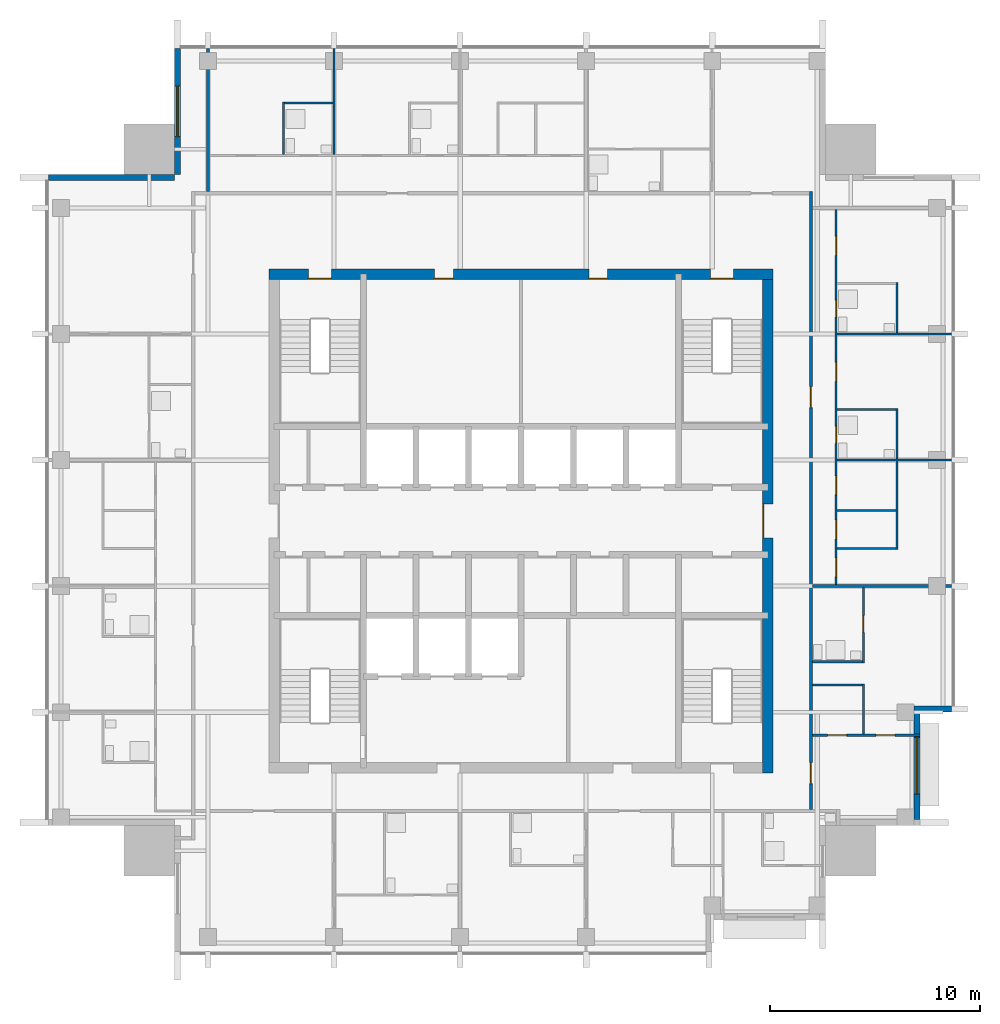
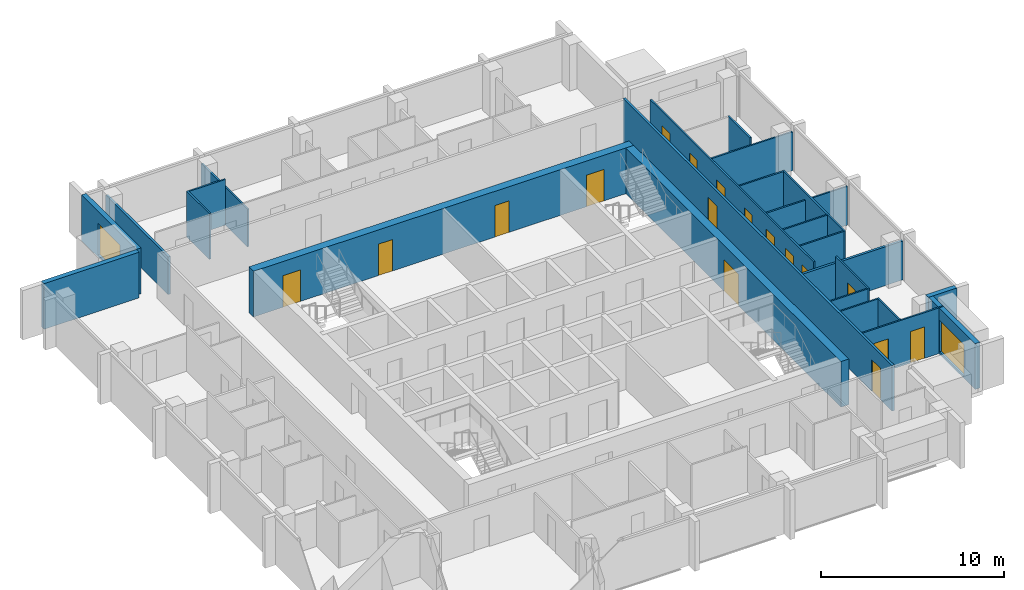
# One storey, part 6 of 10: 25 walls, 17 doors, 2 windows, 19 openings.
"""IFC4 building model written with IfcOpenShell, lengths in metres."""

from ifc_helpers import new_model, si_unit, direction, frame, frame_2d, origin, place, context, subcontext, project, spatial, rectangle, extrude, material, layer, layer_set, type_object, element, fill, save


model = new_model("IFC4")

# Units and contexts
model_context = context("Model", 3, precision=1e-05, world=origin(), true_north=direction((0.0, 1.0)))
body_context = subcontext(model_context, "Body", "Model", "MODEL_VIEW")
ifc_project = project(units=[si_unit("LENGTHUNIT", "METRE"), si_unit("AREAUNIT", "SQUARE_METRE"), si_unit("VOLUMEUNIT", "CUBIC_METRE"), si_unit("PLANEANGLEUNIT", "RADIAN"), si_unit("MASSUNIT", "GRAM", prefix="KILO")], contexts=[model_context])

# Site, building, storey
site_placement = place(None, origin())
site = spatial("IfcSite", under=ifc_project, at=site_placement, CompositionType="ELEMENT")
building_placement = place(site_placement, origin())
building = spatial("IfcBuilding", under=site, at=building_placement, Name="Amberfall Residences", CompositionType="ELEMENT")
storey_placement = place(building_placement, frame((0.0, 0.0, 275.199951171875)))
storey = spatial("IfcBuildingStorey", under=building, at=storey_placement, Name="L74", CompositionType="ELEMENT", Elevation=275.199951171875)

# Wall
ifc_material_1 = material(Name="Pale stone cladding on insulated backing", Category="masonry")
ifc_layer_1 = layer(ifc_material_1, 0.300048828125)
ifc_layer_set_1 = layer_set([ifc_layer_1], Name="Bronze clad wall 300")
wall_type_1 = type_object("IfcWallType", Name="Bronze clad wall 300", PredefinedType="SOLIDWALL", material=ifc_layer_set_1)
wall_1_placement = place(storey_placement, frame((93.199951171875, 36.550048828125, 0.0), z_axis=(0.0, 0.0, 1.0), x_axis=(1.0, 0.0, 0.0)))
element("IfcWall", 1, at=wall_1_placement, inside=storey, type_object=wall_type_1, Name="External wall L74 E", PredefinedType="SOLIDWALL", context=body_context, shape_type="SweptSolid", body=[
    extrude(rectangle(XDim=1.800048828125, YDim=0.300048828125, at=frame_2d((0.89990234375, 0.0))), origin(), (0.0, 0.0, 1.0), 3.050048828125),
])

# Wall, opening, window
wall_2_placement = place(storey_placement, frame((58.14990234375, 68.0, 0.0), z_axis=(0.0, 0.0, 1.0), x_axis=(0.0, -1.0, 0.0)))
wall_2 = element("IfcWall", 2, at=wall_2_placement, inside=storey, type_object=wall_type_1, Name="External wall L74 NW", PredefinedType="SOLIDWALL", context=body_context, shape_type="SweptSolid", body=[
    extrude(rectangle(XDim=6.0, YDim=0.300048828125, at=frame_2d((3.0, 0.0))), origin(), (0.0, 0.0, 1.0), 3.050048828125),
])
opening_1_placement = place(wall_2_placement, frame((1.800048828125, 0.0, 0.14990234375)))
opening_1 = element("IfcOpeningElement", 3, at=opening_1_placement, cuts=wall_2, Name="Opening WN5", PredefinedType="OPENING", context=body_context, shape_type="SweptSolid", body=[
    extrude(rectangle(XDim=2.39990234375, YDim=2.10009765625, at=frame_2d((1.199951171875, 1.050048828125))), frame((0.0, 0.159912109375, 0.0), z_axis=(0.0, -1.0, 0.0), x_axis=(1.0, 0.0, 0.0)), (0.0, 0.0, 1.0), 0.320068359375),
])
ifc_material_2 = material(Name="Bronze aluminium framed glazing", Category="aluminium")
window_type_1 = type_object("IfcWindowType", Name="Glazed opening 2400 x 2100 bronze", PartitioningType="DOUBLE_PANEL_VERTICAL", PredefinedType="WINDOW", material=ifc_material_2)
window_1_placement = place(opening_1_placement, origin())
window_1 = element("IfcWindow", 4, at=window_1_placement, inside=storey, type_object=window_type_1, Name="Window L74 NW", OverallHeight=2.10009765625, OverallWidth=2.39990234375, PartitioningType="DOUBLE_PANEL_VERTICAL", PredefinedType="WINDOW", context=body_context, shape_type="SweptSolid", body=[
    extrude(rectangle(XDim=2.39990234375, YDim=2.10009765625, at=frame_2d((1.199951171875, 1.050048828125))), frame((0.0, 0.030029296875, 0.0), z_axis=(0.0, -1.0, 0.0), x_axis=(1.0, 0.0, 0.0)), (0.0, 0.0, 1.0), 0.06005859375),
])
fill(opening_1, window_1)

# Wall
wall_3_placement = place(storey_placement, frame((58.0, 61.85009765625, 0.0), z_axis=(0.0, 0.0, 1.0), x_axis=(-1.0, 0.0, 0.0)))
element("IfcWall", 5, at=wall_3_placement, inside=storey, type_object=wall_type_1, Name="External wall L74 NW", PredefinedType="SOLIDWALL", context=body_context, shape_type="SweptSolid", body=[
    extrude(rectangle(XDim=6.0, YDim=0.300048828125, at=frame_2d((3.0, 0.0))), origin(), (0.0, 0.0, 1.0), 3.050048828125),
])

# Wall, opening, window
wall_4_placement = place(storey_placement, frame((93.35009765625, 31.300048828125, 0.0), z_axis=(0.0, 0.0, 1.0), x_axis=(0.0, 1.0, 0.0)))
wall_4 = element("IfcWall", 6, at=wall_4_placement, inside=storey, type_object=wall_type_1, Name="Stone wall L74 E", PredefinedType="SOLIDWALL", context=body_context, shape_type="SweptSolid", body=[
    extrude(rectangle(XDim=5.099853515625, YDim=0.300048828125, at=frame_2d((2.5498046875, 0.0))), origin(), (0.0, 0.0, 1.0), 3.050048828125),
])
opening_2_placement = place(wall_4_placement, frame((1.199951171875, 0.0, 0.14990234375)))
opening_2 = element("IfcOpeningElement", 7, at=opening_2_placement, cuts=wall_4, Name="Opening WN4", PredefinedType="OPENING", context=body_context, shape_type="SweptSolid", body=[
    extrude(rectangle(XDim=2.699951171875, YDim=2.10009765625, at=frame_2d((1.35009765625, 1.050048828125))), frame((0.0, 0.159912109375, 0.0), z_axis=(0.0, -1.0, 0.0), x_axis=(1.0, 0.0, 0.0)), (0.0, 0.0, 1.0), 0.320068359375),
])
window_type_2 = type_object("IfcWindowType", Name="Glazed opening 2700 x 2100 bronze", PartitioningType="DOUBLE_PANEL_VERTICAL", PredefinedType="WINDOW", material=ifc_material_2)
window_2_placement = place(opening_2_placement, origin())
window_2 = element("IfcWindow", 8, at=window_2_placement, inside=storey, type_object=window_type_2, Name="Window L74 E", OverallHeight=2.10009765625, OverallWidth=2.699951171875, PartitioningType="DOUBLE_PANEL_VERTICAL", PredefinedType="WINDOW", context=body_context, shape_type="SweptSolid", body=[
    extrude(rectangle(XDim=2.699951171875, YDim=2.10009765625, at=frame_2d((1.35009765625, 1.050048828125))), frame((0.0, 0.030029296875, 0.0), z_axis=(0.0, -1.0, 0.0), x_axis=(1.0, 0.0, 0.0)), (0.0, 0.0, 1.0), 0.06005859375),
])
fill(opening_2, window_2)

# Wall, openings, doors
ifc_material_3 = material(Name="Concrete C50", Category="concrete")
ifc_layer_2 = layer(ifc_material_3, 0.5)
ifc_layer_set_2 = layer_set([ifc_layer_2], Name="Core wall 500 C50")
wall_type_2 = type_object("IfcWallType", Name="Core wall 500 C50", PredefinedType="SHEAR", material=ifc_layer_set_2)
wall_5_placement = place(storey_placement, frame((62.5, 57.25, 0.0), z_axis=(0.0, 0.0, 1.0), x_axis=(1.0, 0.0, 0.0)))
wall_5 = element("IfcWall", 9, at=wall_5_placement, inside=storey, type_object=wall_type_2, Name="Core wall RW9 L74 ON", PredefinedType="SHEAR", context=body_context, shape_type="SweptSolid", body=[
    extrude(rectangle(XDim=24.0, YDim=0.5, at=frame_2d((12.0, 0.0))), origin(), (0.0, 0.0, 1.0), 3.050048828125),
])
opening_3_placement = place(wall_5_placement, frame((21.02490234375, 0.0, 0.0)))
opening_3 = element("IfcOpeningElement", 10, at=opening_3_placement, cuts=wall_5, Name="Opening SD1", PredefinedType="OPENING", context=body_context, shape_type="SweptSolid", body=[
    extrude(rectangle(XDim=1.10009765625, YDim=2.10009765625, at=frame_2d((0.550048828125, 1.050048828125))), frame((0.0, 0.260009765625, 0.0), z_axis=(0.0, -1.0, 0.0), x_axis=(1.0, 0.0, 0.0)), (0.0, 0.0, 1.0), 0.52001953125),
])
opening_4_placement = place(wall_5_placement, frame((1.875, 0.0, 0.0)))
opening_4 = element("IfcOpeningElement", 11, at=opening_4_placement, cuts=wall_5, Name="Opening SD1", PredefinedType="OPENING", context=body_context, shape_type="SweptSolid", body=[
    extrude(rectangle(XDim=1.10009765625, YDim=2.10009765625, at=frame_2d((0.550048828125, 1.050048828125))), frame((0.0, 0.260009765625, 0.0), z_axis=(0.0, -1.0, 0.0), x_axis=(1.0, 0.0, 0.0)), (0.0, 0.0, 1.0), 0.52001953125),
])
opening_5_placement = place(wall_5_placement, frame((7.875, 0.0, 0.0)))
opening_5 = element("IfcOpeningElement", 12, at=opening_5_placement, cuts=wall_5, Name="Opening RD1", PredefinedType="OPENING", context=body_context, shape_type="SweptSolid", body=[
    extrude(rectangle(XDim=0.89990234375, YDim=2.10009765625, at=frame_2d((0.449951171875, 1.050048828125))), frame((0.0, 0.260009765625, 0.0), z_axis=(0.0, -1.0, 0.0), x_axis=(1.0, 0.0, 0.0)), (0.0, 0.0, 1.0), 0.52001953125),
])
opening_6_placement = place(wall_5_placement, frame((15.22509765625, 0.0, 0.0)))
opening_6 = element("IfcOpeningElement", 13, at=opening_6_placement, cuts=wall_5, Name="Opening RD1", PredefinedType="OPENING", context=body_context, shape_type="SweptSolid", body=[
    extrude(rectangle(XDim=0.89990234375, YDim=2.10009765625, at=frame_2d((0.449951171875, 1.050048828125))), frame((0.0, 0.260009765625, 0.0), z_axis=(0.0, -1.0, 0.0), x_axis=(1.0, 0.0, 0.0)), (0.0, 0.0, 1.0), 0.52001953125),
])
ifc_material_4 = material(Name="Steel fire door set", Category="steel")
door_type_1 = type_object("IfcDoorType", Name="Service room door 900 x 2100", OperationType="SINGLE_SWING_LEFT", PredefinedType="DOOR", material=ifc_material_4)
door_1_placement = place(opening_5_placement, origin())
door_1 = element("IfcDoor", 14, at=door_1_placement, inside=storey, type_object=door_type_1, Name="RD1 L74", OperationType="SINGLE_SWING_RIGHT", OverallHeight=2.10009765625, OverallWidth=0.89990234375, PredefinedType="DOOR", context=body_context, shape_type="SweptSolid", body=[
    extrude(rectangle(XDim=0.89990234375, YDim=2.10009765625, at=frame_2d((0.449951171875, 1.050048828125))), frame((0.0, -0.1875, 0.0), z_axis=(0.0, -1.0, 0.0), x_axis=(1.0, 0.0, 0.0)), (0.0, 0.0, 1.0), 0.050048828125),
])
fill(opening_5, door_1)
door_2_placement = place(opening_6_placement, origin())
door_2 = element("IfcDoor", 15, at=door_2_placement, inside=storey, type_object=door_type_1, Name="RD1 L74", OperationType="SINGLE_SWING_RIGHT", OverallHeight=2.10009765625, OverallWidth=0.89990234375, PredefinedType="DOOR", context=body_context, shape_type="SweptSolid", body=[
    extrude(rectangle(XDim=0.89990234375, YDim=2.10009765625, at=frame_2d((0.449951171875, 1.050048828125))), frame((0.0, -0.1875, 0.0), z_axis=(0.0, -1.0, 0.0), x_axis=(1.0, 0.0, 0.0)), (0.0, 0.0, 1.0), 0.050048828125),
])
fill(opening_6, door_2)
door_type_2 = type_object("IfcDoorType", Name="Stair door 1100 x 2100", OperationType="SINGLE_SWING_LEFT", PredefinedType="DOOR", material=ifc_material_4)
door_3_placement = place(opening_3_placement, origin())
door_3 = element("IfcDoor", 16, at=door_3_placement, inside=storey, type_object=door_type_2, Name="SD1 L74", OperationType="SINGLE_SWING_RIGHT", OverallHeight=2.10009765625, OverallWidth=1.10009765625, PredefinedType="DOOR", context=body_context, shape_type="SweptSolid", body=[
    extrude(rectangle(XDim=1.10009765625, YDim=2.10009765625, at=frame_2d((0.550048828125, 1.050048828125))), frame((0.0, -0.1875, 0.0), z_axis=(0.0, -1.0, 0.0), x_axis=(1.0, 0.0, 0.0)), (0.0, 0.0, 1.0), 0.050048828125),
])
fill(opening_3, door_3)
door_4_placement = place(opening_4_placement, origin())
door_4 = element("IfcDoor", 17, at=door_4_placement, inside=storey, type_object=door_type_2, Name="SD1 L74", OperationType="SINGLE_SWING_LEFT", OverallHeight=2.10009765625, OverallWidth=1.10009765625, PredefinedType="DOOR", context=body_context, shape_type="SweptSolid", body=[
    extrude(rectangle(XDim=1.10009765625, YDim=2.10009765625, at=frame_2d((0.550048828125, 1.050048828125))), frame((0.0, -0.1875, 0.0), z_axis=(0.0, -1.0, 0.0), x_axis=(1.0, 0.0, 0.0)), (0.0, 0.0, 1.0), 0.050048828125),
])
fill(opening_4, door_4)

# Wall, opening, door
wall_6_placement = place(storey_placement, frame((86.25, 33.5, 0.0), z_axis=(0.0, 0.0, 1.0), x_axis=(0.0, 1.0, 0.0)))
wall_6 = element("IfcWall", 18, at=wall_6_placement, inside=storey, type_object=wall_type_2, Name="Core wall RW9 L74 OE", PredefinedType="SHEAR", context=body_context, shape_type="SweptSolid", body=[
    extrude(rectangle(XDim=24.0, YDim=0.5, at=frame_2d((12.0, 0.0))), origin(), (0.0, 0.0, 1.0), 3.050048828125),
])
opening_7_placement = place(wall_6_placement, frame((11.199951171875, 0.0, 0.0)))
opening_7 = element("IfcOpeningElement", 19, at=opening_7_placement, cuts=wall_6, Name="Opening LB1", PredefinedType="OPENING", context=body_context, shape_type="SweptSolid", body=[
    extrude(rectangle(XDim=1.60009765625, YDim=2.10009765625, at=frame_2d((0.800048828125, 1.050048828125))), frame((0.0, 0.260009765625, 0.0), z_axis=(0.0, -1.0, 0.0), x_axis=(1.0, 0.0, 0.0)), (0.0, 0.0, 1.0), 0.52001953125),
])
door_type_3 = type_object("IfcDoorType", Name="Lift lobby double door 1600 x 2100", OperationType="DOUBLE_DOOR_SINGLE_SWING", PredefinedType="DOOR", material=ifc_material_4)
door_5_placement = place(opening_7_placement, origin())
door_5 = element("IfcDoor", 20, at=door_5_placement, inside=storey, type_object=door_type_3, Name="LB1 L74", OperationType="DOUBLE_DOOR_SINGLE_SWING", OverallHeight=2.10009765625, OverallWidth=1.60009765625, PredefinedType="DOOR", context=body_context, shape_type="SweptSolid", body=[
    extrude(rectangle(XDim=1.60009765625, YDim=2.10009765625, at=frame_2d((0.800048828125, 1.050048828125))), frame((0.0, 0.2373046875, 0.0), z_axis=(0.0, -1.0, 0.0), x_axis=(1.0, 0.0, 0.0)), (0.0, 0.0, 1.0), 0.050048828125),
])
fill(opening_7, door_5)

# Walls
ifc_material_5 = material(Name="Gypsum board on metal stud")
ifc_layer_3 = layer(ifc_material_5, 0.10009765625)
ifc_layer_set_3 = layer_set([ifc_layer_3], Name="Flat partition 100")
wall_type_3 = type_object("IfcWallType", Name="Flat partition 100", PredefinedType="PARTITIONING", material=ifc_layer_set_3)
wall_7_placement = place(storey_placement, frame((63.199951171875, 62.949951171875, 0.0), z_axis=(0.0, 0.0, 1.0), x_axis=(0.0, 1.0, 0.0)))
element("IfcWall", 21, at=wall_7_placement, inside=storey, type_object=wall_type_3, Name="Partition 006", PredefinedType="PARTITIONING", context=body_context, shape_type="SweptSolid", body=[
    extrude(rectangle(XDim=2.5, YDim=0.10009765625, at=frame_2d((1.25, 0.0))), origin(), (0.0, 0.0, 1.0), 3.050048828125),
])
wall_8_placement = place(storey_placement, frame((65.60009765625, 62.949951171875, 0.0), z_axis=(0.0, 0.0, 1.0), x_axis=(0.0, 1.0, 0.0)))
element("IfcWall", 22, at=wall_8_placement, inside=storey, type_object=wall_type_3, Name="Partition 008", PredefinedType="PARTITIONING", context=body_context, shape_type="SweptSolid", body=[
    extrude(rectangle(XDim=5.050048828125, YDim=0.10009765625, at=frame_2d((2.52490234375, 0.0))), origin(), (0.0, 0.0, 1.0), 2.51611328125),
])

# Wall, openings, doors
wall_9_placement = place(storey_placement, frame((89.5, 60.324951171875, 0.0), z_axis=(0.0, 0.0, 1.0), x_axis=(0.0, -1.0, 0.0)))
wall_9 = element("IfcWall", 23, at=wall_9_placement, inside=storey, type_object=wall_type_3, Name="Partition 021", PredefinedType="PARTITIONING", context=body_context, shape_type="SweptSolid", body=[
    extrude(rectangle(XDim=17.849853515625, YDim=0.10009765625, at=frame_2d((8.9248046875, 0.0))), origin(), (0.0, 0.0, 1.0), 3.050048828125),
])
opening_8_placement = place(wall_9_placement, frame((16.574951171875, 0.0, 0.0)))
opening_8 = element("IfcOpeningElement", 24, at=opening_8_placement, cuts=wall_9, Name="Opening D41", PredefinedType="OPENING", context=body_context, shape_type="SweptSolid", body=[
    extrude(rectangle(XDim=0.89990234375, YDim=2.10009765625, at=frame_2d((0.449951171875, 1.050048828125))), frame((0.0, 0.06005859375, 0.0), z_axis=(0.0, -1.0, 0.0), x_axis=(1.0, 0.0, 0.0)), (0.0, 0.0, 1.0), 0.1201171875),
])
opening_9_placement = place(wall_9_placement, frame((12.675048828125, 0.0, 0.0)))
opening_9 = element("IfcOpeningElement", 25, at=opening_9_placement, cuts=wall_9, Name="Opening D41", PredefinedType="OPENING", context=body_context, shape_type="SweptSolid", body=[
    extrude(rectangle(XDim=0.89990234375, YDim=2.10009765625, at=frame_2d((0.449951171875, 1.050048828125))), frame((0.0, 0.06005859375, 0.0), z_axis=(0.0, -1.0, 0.0), x_axis=(1.0, 0.0, 0.0)), (0.0, 0.0, 1.0), 0.1201171875),
])
opening_10_placement = place(wall_9_placement, frame((14.77490234375, 0.0, 0.0)))
opening_10 = element("IfcOpeningElement", 26, at=opening_10_placement, cuts=wall_9, Name="Opening D41", PredefinedType="OPENING", context=body_context, shape_type="SweptSolid", body=[
    extrude(rectangle(XDim=0.89990234375, YDim=2.10009765625, at=frame_2d((0.449951171875, 1.050048828125))), frame((0.0, 0.06005859375, 0.0), z_axis=(0.0, -1.0, 0.0), x_axis=(1.0, 0.0, 0.0)), (0.0, 0.0, 1.0), 0.1201171875),
])
opening_11_placement = place(wall_9_placement, frame((7.27490234375, 0.0, 0.0)))
opening_11 = element("IfcOpeningElement", 27, at=opening_11_placement, cuts=wall_9, Name="Opening D41", PredefinedType="OPENING", context=body_context, shape_type="SweptSolid", body=[
    extrude(rectangle(XDim=0.89990234375, YDim=2.10009765625, at=frame_2d((0.449951171875, 1.050048828125))), frame((0.0, 0.06005859375, 0.0), z_axis=(0.0, -1.0, 0.0), x_axis=(1.0, 0.0, 0.0)), (0.0, 0.0, 1.0), 0.1201171875),
])
opening_12_placement = place(wall_9_placement, frame((1.27490234375, 0.0, 0.0)))
opening_12 = element("IfcOpeningElement", 28, at=opening_12_placement, cuts=wall_9, Name="Opening D41", PredefinedType="OPENING", context=body_context, shape_type="SweptSolid", body=[
    extrude(rectangle(XDim=0.89990234375, YDim=2.10009765625, at=frame_2d((0.449951171875, 1.050048828125))), frame((0.0, 0.06005859375, 0.0), z_axis=(0.0, -1.0, 0.0), x_axis=(1.0, 0.0, 0.0)), (0.0, 0.0, 1.0), 0.1201171875),
])
opening_13_placement = place(wall_9_placement, frame((10.324951171875, 0.0, 0.0)))
opening_13 = element("IfcOpeningElement", 29, at=opening_13_placement, cuts=wall_9, Name="Opening D42", PredefinedType="OPENING", context=body_context, shape_type="SweptSolid", body=[
    extrude(rectangle(XDim=0.800048828125, YDim=2.10009765625, at=frame_2d((0.39990234375, 1.050048828125))), frame((0.0, 0.06005859375, 0.0), z_axis=(0.0, -1.0, 0.0), x_axis=(1.0, 0.0, 0.0)), (0.0, 0.0, 1.0), 0.1201171875),
])
opening_14_placement = place(wall_9_placement, frame((4.324951171875, 0.0, 0.0)))
opening_14 = element("IfcOpeningElement", 30, at=opening_14_placement, cuts=wall_9, Name="Opening D42", PredefinedType="OPENING", context=body_context, shape_type="SweptSolid", body=[
    extrude(rectangle(XDim=0.800048828125, YDim=2.10009765625, at=frame_2d((0.39990234375, 1.050048828125))), frame((0.0, 0.06005859375, 0.0), z_axis=(0.0, -1.0, 0.0), x_axis=(1.0, 0.0, 0.0)), (0.0, 0.0, 1.0), 0.1201171875),
])
ifc_material_6 = material(Name="Timber", Category="wood")
door_type_4 = type_object("IfcDoorType", Name="Bathroom door 800 x 2100", OperationType="SINGLE_SWING_LEFT", PredefinedType="DOOR", material=ifc_material_6)
door_6_placement = place(opening_13_placement, origin())
door_6 = element("IfcDoor", 31, at=door_6_placement, inside=storey, type_object=door_type_4, Name="Door 7404 bath1", OperationType="SINGLE_SWING_LEFT", OverallHeight=2.10009765625, OverallWidth=0.800048828125, PredefinedType="DOOR", context=body_context, shape_type="SweptSolid", body=[
    extrude(rectangle(XDim=0.800048828125, YDim=2.10009765625, at=frame_2d((0.39990234375, 1.050048828125))), frame((0.0, 0.02490234375, 0.0), z_axis=(0.0, -1.0, 0.0), x_axis=(1.0, 0.0, 0.0)), (0.0, 0.0, 1.0), 0.050048828125),
])
fill(opening_13, door_6)
door_7_placement = place(opening_14_placement, origin())
door_7 = element("IfcDoor", 32, at=door_7_placement, inside=storey, type_object=door_type_4, Name="Door 7404 bath2", OperationType="SINGLE_SWING_LEFT", OverallHeight=2.10009765625, OverallWidth=0.800048828125, PredefinedType="DOOR", context=body_context, shape_type="SweptSolid", body=[
    extrude(rectangle(XDim=0.800048828125, YDim=2.10009765625, at=frame_2d((0.39990234375, 1.050048828125))), frame((0.0, 0.02490234375, 0.0), z_axis=(0.0, -1.0, 0.0), x_axis=(1.0, 0.0, 0.0)), (0.0, 0.0, 1.0), 0.050048828125),
])
fill(opening_14, door_7)
door_type_5 = type_object("IfcDoorType", Name="Internal door 900 x 2100", OperationType="SINGLE_SWING_LEFT", PredefinedType="DOOR", material=ifc_material_6)
door_8_placement = place(opening_8_placement, origin())
door_8 = element("IfcDoor", 33, at=door_8_placement, inside=storey, type_object=door_type_5, Name="Door 7404 living", OperationType="SINGLE_SWING_LEFT", OverallHeight=2.10009765625, OverallWidth=0.89990234375, PredefinedType="DOOR", context=body_context, shape_type="SweptSolid", body=[
    extrude(rectangle(XDim=0.89990234375, YDim=2.10009765625, at=frame_2d((0.449951171875, 1.050048828125))), frame((0.0, 0.02490234375, 0.0), z_axis=(0.0, -1.0, 0.0), x_axis=(1.0, 0.0, 0.0)), (0.0, 0.0, 1.0), 0.050048828125),
])
fill(opening_8, door_8)
door_9_placement = place(opening_9_placement, origin())
door_9 = element("IfcDoor", 34, at=door_9_placement, inside=storey, type_object=door_type_5, Name="Door 7404 kitchen", OperationType="SINGLE_SWING_LEFT", OverallHeight=2.10009765625, OverallWidth=0.89990234375, PredefinedType="DOOR", context=body_context, shape_type="SweptSolid", body=[
    extrude(rectangle(XDim=0.89990234375, YDim=2.10009765625, at=frame_2d((0.449951171875, 1.050048828125))), frame((0.0, 0.02490234375, 0.0), z_axis=(0.0, -1.0, 0.0), x_axis=(1.0, 0.0, 0.0)), (0.0, 0.0, 1.0), 0.050048828125),
])
fill(opening_9, door_9)
door_10_placement = place(opening_10_placement, origin())
door_10 = element("IfcDoor", 35, at=door_10_placement, inside=storey, type_object=door_type_5, Name="Door 7404 utility", OperationType="SINGLE_SWING_LEFT", OverallHeight=2.10009765625, OverallWidth=0.89990234375, PredefinedType="DOOR", context=body_context, shape_type="SweptSolid", body=[
    extrude(rectangle(XDim=0.89990234375, YDim=2.10009765625, at=frame_2d((0.449951171875, 1.050048828125))), frame((0.0, 0.02490234375, 0.0), z_axis=(0.0, -1.0, 0.0), x_axis=(1.0, 0.0, 0.0)), (0.0, 0.0, 1.0), 0.050048828125),
])
fill(opening_10, door_10)
door_11_placement = place(opening_11_placement, origin())
door_11 = element("IfcDoor", 36, at=door_11_placement, inside=storey, type_object=door_type_5, Name="Door 7404 bedroom1", OperationType="SINGLE_SWING_LEFT", OverallHeight=2.10009765625, OverallWidth=0.89990234375, PredefinedType="DOOR", context=body_context, shape_type="SweptSolid", body=[
    extrude(rectangle(XDim=0.89990234375, YDim=2.10009765625, at=frame_2d((0.449951171875, 1.050048828125))), frame((0.0, 0.02490234375, 0.0), z_axis=(0.0, -1.0, 0.0), x_axis=(1.0, 0.0, 0.0)), (0.0, 0.0, 1.0), 0.050048828125),
])
fill(opening_11, door_11)
door_12_placement = place(opening_12_placement, origin())
door_12 = element("IfcDoor", 37, at=door_12_placement, inside=storey, type_object=door_type_5, Name="Door 7404 bedroom2", OperationType="SINGLE_SWING_LEFT", OverallHeight=2.10009765625, OverallWidth=0.89990234375, PredefinedType="DOOR", context=body_context, shape_type="SweptSolid", body=[
    extrude(rectangle(XDim=0.89990234375, YDim=2.10009765625, at=frame_2d((0.449951171875, 1.050048828125))), frame((0.0, 0.02490234375, 0.0), z_axis=(0.0, -1.0, 0.0), x_axis=(1.0, 0.0, 0.0)), (0.0, 0.0, 1.0), 0.050048828125),
])
fill(opening_12, door_12)

# Wall
wall_10_placement = place(storey_placement, frame((90.800048828125, 35.35009765625, 0.0), z_axis=(0.0, 0.0, 1.0), x_axis=(0.0, 1.0, 0.0)))
element("IfcWall", 38, at=wall_10_placement, inside=storey, type_object=wall_type_3, Name="Partition 022", PredefinedType="PARTITIONING", context=body_context, shape_type="SweptSolid", body=[
    extrude(rectangle(XDim=2.39990234375, YDim=0.10009765625, at=frame_2d((1.199951171875, 0.0))), origin(), (0.0, 0.0, 1.0), 3.050048828125),
])

# Wall, opening, door
wall_11_placement = place(storey_placement, frame((90.800048828125, 38.75, 0.0), z_axis=(0.0, 0.0, 1.0), x_axis=(0.0, 1.0, 0.0)))
wall_11 = element("IfcWall", 39, at=wall_11_placement, inside=storey, type_object=wall_type_3, Name="Partition 023", PredefinedType="PARTITIONING", context=body_context, shape_type="SweptSolid", body=[
    extrude(rectangle(XDim=3.574951171875, YDim=0.10009765625, at=frame_2d((1.78759765625, 0.0))), origin(), (0.0, 0.0, 1.0), 3.050048828125),
])
opening_15_placement = place(wall_11_placement, frame((1.449951171875, 0.0, 0.0)))
opening_15 = element("IfcOpeningElement", 40, at=opening_15_placement, cuts=wall_11, Name="Opening D42", PredefinedType="OPENING", context=body_context, shape_type="SweptSolid", body=[
    extrude(rectangle(XDim=0.800048828125, YDim=2.10009765625, at=frame_2d((0.39990234375, 1.050048828125))), frame((0.0, 0.06005859375, 0.0), z_axis=(0.0, -1.0, 0.0), x_axis=(1.0, 0.0, 0.0)), (0.0, 0.0, 1.0), 0.1201171875),
])
door_13_placement = place(opening_15_placement, origin())
door_13 = element("IfcDoor", 41, at=door_13_placement, inside=storey, type_object=door_type_4, Name="Door 7403 bath1", OperationType="SINGLE_SWING_LEFT", OverallHeight=2.10009765625, OverallWidth=0.800048828125, PredefinedType="DOOR", context=body_context, shape_type="SweptSolid", body=[
    extrude(rectangle(XDim=0.800048828125, YDim=2.10009765625, at=frame_2d((0.39990234375, 1.050048828125))), frame((0.0, 0.02490234375, 0.0), z_axis=(0.0, -1.0, 0.0), x_axis=(1.0, 0.0, 0.0)), (0.0, 0.0, 1.0), 0.050048828125),
])
fill(opening_15, door_13)

# Walls
wall_12_placement = place(storey_placement, frame((92.39990234375, 44.14990234375, 0.0), z_axis=(0.0, 0.0, 1.0), x_axis=(0.0, 1.0, 0.0)))
element("IfcWall", 42, at=wall_12_placement, inside=storey, type_object=wall_type_3, Name="Partition 024", PredefinedType="PARTITIONING", context=body_context, shape_type="SweptSolid", body=[
    extrude(rectangle(XDim=6.7001953125, YDim=0.10009765625, at=frame_2d((3.35009765625, 0.0))), origin(), (0.0, 0.0, 1.0), 3.050048828125),
])
wall_13_placement = place(storey_placement, frame((92.39990234375, 54.449951171875, 0.0), z_axis=(0.0, 0.0, 1.0), x_axis=(0.0, 1.0, 0.0)))
element("IfcWall", 43, at=wall_13_placement, inside=storey, type_object=wall_type_3, Name="Partition 025", PredefinedType="PARTITIONING", context=body_context, shape_type="SweptSolid", body=[
    extrude(rectangle(XDim=2.400146484375, YDim=0.10009765625, at=frame_2d((1.2001953125, 0.0))), origin(), (0.0, 0.0, 1.0), 3.050048828125),
])
wall_14_placement = place(storey_placement, frame((63.25, 65.39990234375, 0.0), z_axis=(0.0, 0.0, 1.0), x_axis=(1.0, 0.0, 0.0)))
element("IfcWall", 44, at=wall_14_placement, inside=storey, type_object=wall_type_3, Name="Partition 026", PredefinedType="PARTITIONING", context=body_context, shape_type="SweptSolid", body=[
    extrude(rectangle(XDim=2.300048828125, YDim=0.10009765625, at=frame_2d((1.14990234375, 0.0))), origin(), (0.0, 0.0, 1.0), 3.050048828125),
])
wall_15_placement = place(storey_placement, frame((89.550048828125, 54.39990234375, 0.0), z_axis=(0.0, 0.0, 1.0), x_axis=(1.0, 0.0, 0.0)))
element("IfcWall", 45, at=wall_15_placement, inside=storey, type_object=wall_type_3, Name="Partition 033", PredefinedType="PARTITIONING", context=body_context, shape_type="SweptSolid", body=[
    extrude(rectangle(XDim=5.449951171875, YDim=0.10009765625, at=frame_2d((2.72509765625, 0.0))), origin(), (0.0, 0.0, 1.0), 2.589111328125),
])
wall_16_placement = place(storey_placement, frame((89.550048828125, 50.800048828125, 0.0), z_axis=(0.0, 0.0, 1.0), x_axis=(1.0, 0.0, 0.0)))
element("IfcWall", 46, at=wall_16_placement, inside=storey, type_object=wall_type_3, Name="Partition 035", PredefinedType="PARTITIONING", context=body_context, shape_type="SweptSolid", body=[
    extrude(rectangle(XDim=2.800048828125, YDim=0.10009765625, at=frame_2d((1.39990234375, 0.0))), origin(), (0.0, 0.0, 1.0), 3.050048828125),
])
wall_17_placement = place(storey_placement, frame((89.550048828125, 48.39990234375, 0.0), z_axis=(0.0, 0.0, 1.0), x_axis=(1.0, 0.0, 0.0)))
element("IfcWall", 47, at=wall_17_placement, inside=storey, type_object=wall_type_3, Name="Partition 036", PredefinedType="PARTITIONING", context=body_context, shape_type="SweptSolid", body=[
    extrude(rectangle(XDim=5.449951171875, YDim=0.10009765625, at=frame_2d((2.72509765625, 0.0))), origin(), (0.0, 0.0, 1.0), 2.589111328125),
])
for number, where, z_axis, x_axis, name in (
    (48, (89.550048828125, 46.0, 0.0), (0.0, 0.0, 1.0), (1.0, 0.0, 0.0), "Partition 038"),
    (49, (89.550048828125, 44.199951171875, 0.0), (0.0, 0.0, 1.0), (1.0, 0.0, 0.0), "Partition 040"),
):
    element("IfcWall", number, at=place(storey_placement, frame(where, z_axis=z_axis, x_axis=x_axis)), inside=storey, type_object=wall_type_3, Name=name, PredefinedType="PARTITIONING", context=body_context, shape_type="SweptSolid", body=[
        extrude(rectangle(XDim=2.800048828125, YDim=0.10009765625, at=frame_2d((1.39990234375, 0.0))), origin(), (0.0, 0.0, 1.0), 3.050048828125),
    ])
for number, where, z_axis, x_axis, name in (
    (50, (88.375, 38.800048828125, 0.0), (0.0, 0.0, 1.0), (1.0, 0.0, 0.0), "Partition 043"),
    (51, (88.375, 37.699951171875, 0.0), (0.0, 0.0, 1.0), (1.0, 0.0, 0.0), "Partition 044"),
):
    element("IfcWall", number, at=place(storey_placement, frame(where, z_axis=z_axis, x_axis=x_axis)), inside=storey, type_object=wall_type_3, Name=name, PredefinedType="PARTITIONING", context=body_context, shape_type="SweptSolid", body=[
        extrude(rectangle(XDim=2.375, YDim=0.10009765625, at=frame_2d((1.1875, 0.0))), origin(), (0.0, 0.0, 1.0), 3.050048828125),
    ])

# Wall, openings, doors
wall_18_placement = place(storey_placement, frame((88.375, 35.300048828125, 0.0), z_axis=(0.0, 0.0, 1.0), x_axis=(1.0, 0.0, 0.0)))
wall_18 = element("IfcWall", 52, at=wall_18_placement, inside=storey, type_object=wall_type_3, Name="Partition 046", PredefinedType="PARTITIONING", context=body_context, shape_type="SweptSolid", body=[
    extrude(rectangle(XDim=5.125, YDim=0.10009765625, at=frame_2d((2.5625, 0.0))), origin(), (0.0, 0.0, 1.0), 3.050048828125),
])
opening_16_placement = place(wall_18_placement, frame((0.72509765625, 0.0, 0.0)))
opening_16 = element("IfcOpeningElement", 53, at=opening_16_placement, cuts=wall_18, Name="Opening D41", PredefinedType="OPENING", context=body_context, shape_type="SweptSolid", body=[
    extrude(rectangle(XDim=0.89990234375, YDim=2.10009765625, at=frame_2d((0.449951171875, 1.050048828125))), frame((0.0, 0.06005859375, 0.0), z_axis=(0.0, -1.0, 0.0), x_axis=(1.0, 0.0, 0.0)), (0.0, 0.0, 1.0), 0.1201171875),
])
opening_17_placement = place(wall_18_placement, frame((3.02490234375, 0.0, 0.0)))
opening_17 = element("IfcOpeningElement", 54, at=opening_17_placement, cuts=wall_18, Name="Opening D41", PredefinedType="OPENING", context=body_context, shape_type="SweptSolid", body=[
    extrude(rectangle(XDim=0.89990234375, YDim=2.10009765625, at=frame_2d((0.449951171875, 1.050048828125))), frame((0.0, 0.06005859375, 0.0), z_axis=(0.0, -1.0, 0.0), x_axis=(1.0, 0.0, 0.0)), (0.0, 0.0, 1.0), 0.1201171875),
])
door_14_placement = place(opening_16_placement, origin())
door_14 = element("IfcDoor", 55, at=door_14_placement, inside=storey, type_object=door_type_5, Name="Door 7403 kitchen", OperationType="SINGLE_SWING_LEFT", OverallHeight=2.10009765625, OverallWidth=0.89990234375, PredefinedType="DOOR", context=body_context, shape_type="SweptSolid", body=[
    extrude(rectangle(XDim=0.89990234375, YDim=2.10009765625, at=frame_2d((0.449951171875, 1.050048828125))), frame((0.0, 0.02490234375, 0.0), z_axis=(0.0, -1.0, 0.0), x_axis=(1.0, 0.0, 0.0)), (0.0, 0.0, 1.0), 0.050048828125),
])
fill(opening_16, door_14)
door_15_placement = place(opening_17_placement, origin())
door_15 = element("IfcDoor", 56, at=door_15_placement, inside=storey, type_object=door_type_5, Name="Door 7403 bedroom1", OperationType="SINGLE_SWING_LEFT", OverallHeight=2.10009765625, OverallWidth=0.89990234375, PredefinedType="DOOR", context=body_context, shape_type="SweptSolid", body=[
    extrude(rectangle(XDim=0.89990234375, YDim=2.10009765625, at=frame_2d((0.449951171875, 1.050048828125))), frame((0.0, 0.02490234375, 0.0), z_axis=(0.0, -1.0, 0.0), x_axis=(1.0, 0.0, 0.0)), (0.0, 0.0, 1.0), 0.050048828125),
])
fill(opening_17, door_15)

# Wall
ifc_material_7 = material(Name="Blockwork, plastered", Category="masonry")
ifc_layer_4 = layer(ifc_material_7, 0.14990234375)
ifc_layer_set_4 = layer_set([ifc_layer_4], Name="Flat separating wall 150")
wall_type_4 = type_object("IfcWallType", Name="Flat separating wall 150", PredefinedType="PARTITIONING", material=ifc_layer_set_4)
wall_19_placement = place(storey_placement, frame((59.60009765625, 61.175048828125, 0.0), z_axis=(0.0, 0.0, 1.0), x_axis=(0.0, 1.0, 0.0)))
element("IfcWall", 57, at=wall_19_placement, inside=storey, type_object=wall_type_4, Name="Separating wall 054", PredefinedType="PARTITIONING", context=body_context, shape_type="SweptSolid", body=[
    extrude(rectangle(XDim=6.824951171875, YDim=0.14990234375, at=frame_2d((3.41259765625, 0.0))), origin(), (0.0, 0.0, 1.0), 2.510009765625),
])

# Wall, openings, doors
wall_20_placement = place(storey_placement, frame((88.300048828125, 61.175048828125, 0.0), z_axis=(0.0, 0.0, 1.0), x_axis=(0.0, -1.0, 0.0)))
wall_20 = element("IfcWall", 58, at=wall_20_placement, inside=storey, type_object=wall_type_4, Name="Separating wall 057", PredefinedType="PARTITIONING", context=body_context, shape_type="SweptSolid", body=[
    extrude(rectangle(XDim=29.400146484375, YDim=0.14990234375, at=frame_2d((14.7001953125, 0.0))), origin(), (0.0, 0.0, 1.0), 3.050048828125),
])
opening_18_placement = place(wall_20_placement, frame((27.175048828125, 0.0, 0.0)))
opening_18 = element("IfcOpeningElement", 59, at=opening_18_placement, cuts=wall_20, Name="Opening D40", PredefinedType="OPENING", context=body_context, shape_type="SweptSolid", body=[
    extrude(rectangle(XDim=1.0, YDim=2.10009765625, at=frame_2d((0.5, 1.050048828125))), frame((0.0, 0.0849609375, 0.0), z_axis=(0.0, -1.0, 0.0), x_axis=(1.0, 0.0, 0.0)), (0.0, 0.0, 1.0), 0.169921875),
])
opening_19_placement = place(wall_20_placement, frame((9.27490234375, 0.0, 0.0)))
opening_19 = element("IfcOpeningElement", 60, at=opening_19_placement, cuts=wall_20, Name="Opening D40", PredefinedType="OPENING", context=body_context, shape_type="SweptSolid", body=[
    extrude(rectangle(XDim=1.0, YDim=2.10009765625, at=frame_2d((0.5, 1.050048828125))), frame((0.0, 0.0849609375, 0.0), z_axis=(0.0, -1.0, 0.0), x_axis=(1.0, 0.0, 0.0)), (0.0, 0.0, 1.0), 0.169921875),
])
ifc_material_8 = material(Name="Timber, fire-rated", Category="wood")
door_type_6 = type_object("IfcDoorType", Name="Flat entrance door FD60 1000 x 2100", OperationType="SINGLE_SWING_LEFT", PredefinedType="DOOR", material=ifc_material_8)
door_16_placement = place(opening_18_placement, origin())
door_16 = element("IfcDoor", 61, at=door_16_placement, inside=storey, type_object=door_type_6, Name="Door 7403 entrance", OperationType="SINGLE_SWING_LEFT", OverallHeight=2.10009765625, OverallWidth=1.0, PredefinedType="DOOR", context=body_context, shape_type="SweptSolid", body=[
    extrude(rectangle(XDim=1.0, YDim=2.10009765625, at=frame_2d((0.5, 1.050048828125))), frame((0.0, 0.02490234375, 0.0), z_axis=(0.0, -1.0, 0.0), x_axis=(1.0, 0.0, 0.0)), (0.0, 0.0, 1.0), 0.050048828125),
])
fill(opening_18, door_16)
door_17_placement = place(opening_19_placement, origin())
door_17 = element("IfcDoor", 62, at=door_17_placement, inside=storey, type_object=door_type_6, Name="Door 7404 entrance", OperationType="SINGLE_SWING_LEFT", OverallHeight=2.10009765625, OverallWidth=1.0, PredefinedType="DOOR", context=body_context, shape_type="SweptSolid", body=[
    extrude(rectangle(XDim=1.0, YDim=2.10009765625, at=frame_2d((0.5, 1.050048828125))), frame((0.0, 0.02490234375, 0.0), z_axis=(0.0, -1.0, 0.0), x_axis=(1.0, 0.0, 0.0)), (0.0, 0.0, 1.0), 0.050048828125),
])
fill(opening_19, door_17)

# Wall
wall_21_placement = place(storey_placement, frame((88.375, 42.39990234375, 0.0), z_axis=(0.0, 0.0, 1.0), x_axis=(1.0, 0.0, 0.0)))
element("IfcWall", 63, at=wall_21_placement, inside=storey, type_object=wall_type_4, Name="Separating wall 062", PredefinedType="PARTITIONING", context=body_context, shape_type="SweptSolid", body=[
    extrude(rectangle(XDim=6.625, YDim=0.14990234375, at=frame_2d((3.3125, 0.0))), origin(), (0.0, 0.0, 1.0), 2.589111328125),
])

save(model, "model.ifc")
